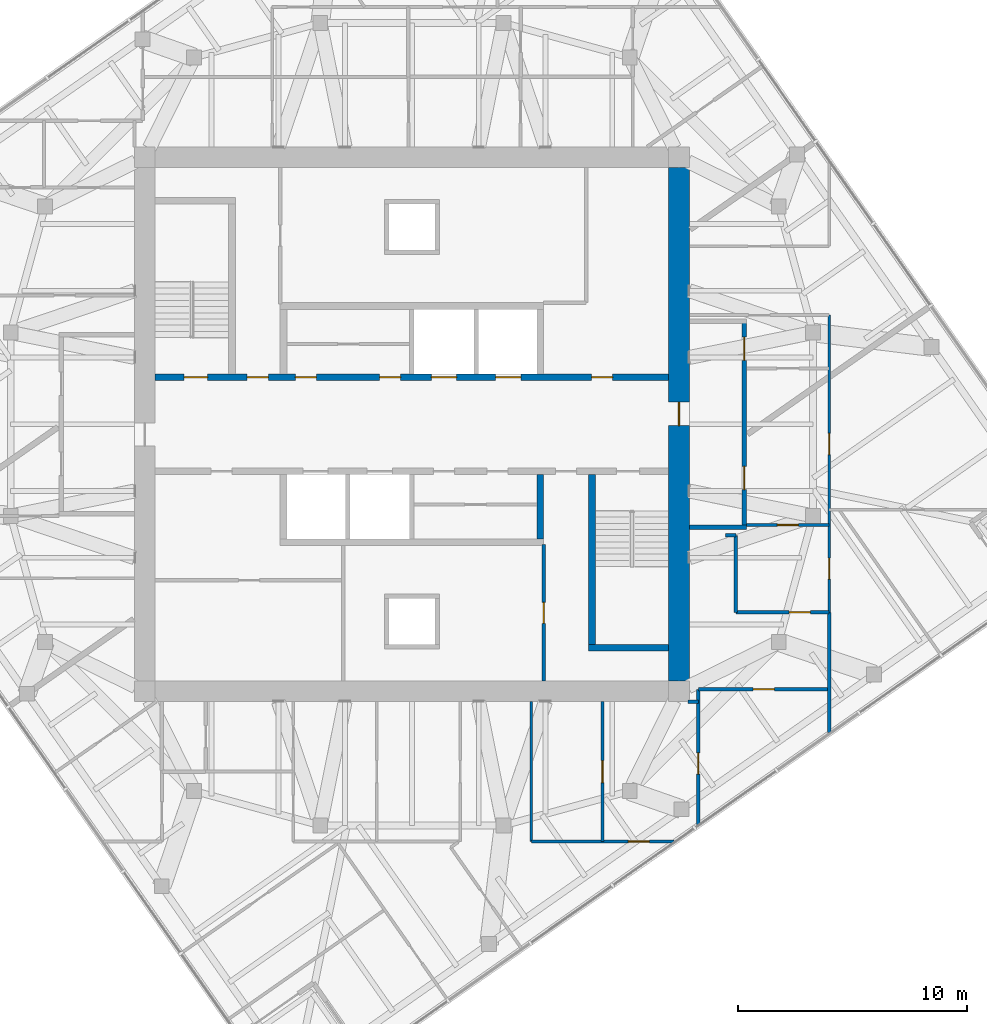
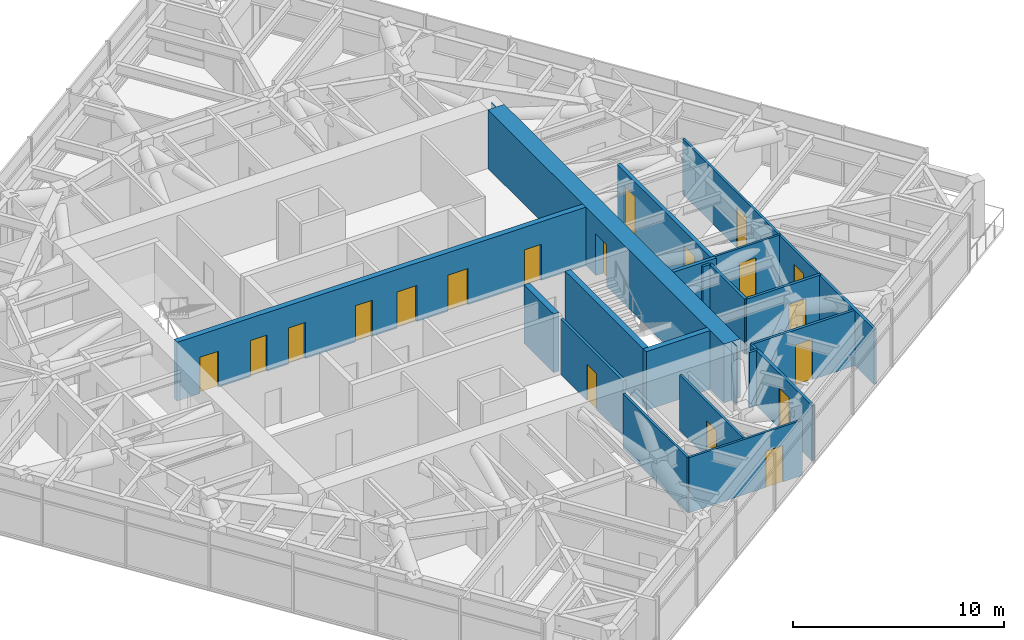
# One storey, part 11 of 15: 20 walls, 19 doors, 19 openings.
"""IFC4 building model written with IfcOpenShell, lengths in metres."""

from ifc_helpers import new_model, si_unit, direction, frame, frame_2d, origin, place, context, subcontext, project, spatial, polyline, rectangle, outline, extrude, material, layer, layer_set, type_object, element, fill, save


model = new_model("IFC4")

# Units and contexts
model_context = context("Model", 3, precision=1e-05, world=origin(), true_north=direction((0.0, 1.0)))
body_context = subcontext(model_context, "Body", "Model", "MODEL_VIEW")
ifc_project = project(units=[si_unit("LENGTHUNIT", "METRE"), si_unit("AREAUNIT", "SQUARE_METRE"), si_unit("VOLUMEUNIT", "CUBIC_METRE"), si_unit("PLANEANGLEUNIT", "RADIAN"), si_unit("MASSUNIT", "GRAM", prefix="KILO")], contexts=[model_context])

# Site, building, storey
site_placement = place(None, origin())
site = spatial("IfcSite", under=ifc_project, at=site_placement, CompositionType="ELEMENT")
building_placement = place(site_placement, origin())
building = spatial("IfcBuilding", under=site, at=building_placement, Name="Torsade Residences", CompositionType="ELEMENT")
storey_placement = place(building_placement, frame((0.0, 0.0, 264.199951171875)))
storey = spatial("IfcBuildingStorey", under=building, at=storey_placement, Name="L73", CompositionType="ELEMENT", Elevation=264.199951171875)

# Wall, openings, doors
ifc_material_1 = material(Name="Concrete 80 MPa", Category="concrete")
ifc_layer_1 = layer(ifc_material_1, 0.300048828125)
ifc_layer_set_1 = layer_set([ifc_layer_1], Name="Concrete 80 MPa")
wall_type_1 = type_object("IfcWallType", Name="CORE INTERNAL WALL 300", PredefinedType="SHEAR", material=ifc_layer_set_1)
wall_1_placement = place(storey_placement, frame((28.800048828125, 32.050048828125, 0.0), z_axis=(0.0, 0.0, 1.0), x_axis=(1.0, 0.0, 0.0)))
wall_1 = element("IfcWall", 1, at=wall_1_placement, inside=storey, type_object=wall_type_1, Name="Core wall LN L73", PredefinedType="SHEAR", context=body_context, shape_type="SweptSolid", body=[
    extrude(rectangle(XDim=22.39990234375, YDim=0.300048828125, at=frame_2d((11.199951171875, 0.0))), origin(), (0.0, 0.0, 1.0), 3.400146484375),
])
opening_1_placement = place(wall_1_placement, frame((19.0400390625, 0.0, 0.0)))
opening_1 = element("IfcOpeningElement", 2, at=opening_1_placement, cuts=wall_1, Name="Opening D06", PredefinedType="OPENING", context=body_context, shape_type="SweptSolid", body=[
    extrude(rectangle(XDim=0.919921875, YDim=2.10009765625, at=frame_2d((0.4599609375, 1.050048828125))), frame((0.0, 0.159912109375, 0.0), z_axis=(0.0, -1.0, 0.0), x_axis=(1.0, 0.0, 0.0)), (0.0, 0.0, 1.0), 0.320068359375),
])
opening_2_placement = place(wall_1_placement, frame((1.264892578125, 0.0, 0.0)))
opening_2 = element("IfcOpeningElement", 3, at=opening_2_placement, cuts=wall_1, Name="Opening D03", PredefinedType="OPENING", context=body_context, shape_type="SweptSolid", body=[
    extrude(rectangle(XDim=1.02001953125, YDim=2.10009765625, at=frame_2d((0.510009765625, 1.050048828125))), frame((0.0, 0.159912109375, 0.0), z_axis=(0.0, -1.0, 0.0), x_axis=(1.0, 0.0, 0.0)), (0.0, 0.0, 1.0), 0.320068359375),
])
opening_3_placement = place(wall_1_placement, frame((4.014892578125, 0.0, 0.0)))
opening_3 = element("IfcOpeningElement", 4, at=opening_3_placement, cuts=wall_1, Name="Opening D06", PredefinedType="OPENING", context=body_context, shape_type="SweptSolid", body=[
    extrude(rectangle(XDim=0.919921875, YDim=2.10009765625, at=frame_2d((0.4599609375, 1.050048828125))), frame((0.0, 0.159912109375, 0.0), z_axis=(0.0, -1.0, 0.0), x_axis=(1.0, 0.0, 0.0)), (0.0, 0.0, 1.0), 0.320068359375),
])
opening_4_placement = place(wall_1_placement, frame((6.114990234375, 0.0, 0.0)))
opening_4 = element("IfcOpeningElement", 5, at=opening_4_placement, cuts=wall_1, Name="Opening D06", PredefinedType="OPENING", context=body_context, shape_type="SweptSolid", body=[
    extrude(rectangle(XDim=0.919921875, YDim=2.10009765625, at=frame_2d((0.4599609375, 1.050048828125))), frame((0.0, 0.159912109375, 0.0), z_axis=(0.0, -1.0, 0.0), x_axis=(1.0, 0.0, 0.0)), (0.0, 0.0, 1.0), 0.320068359375),
])
opening_5_placement = place(wall_1_placement, frame((9.7900390625, 0.0, 0.0)))
opening_5 = element("IfcOpeningElement", 6, at=opening_5_placement, cuts=wall_1, Name="Opening D06", PredefinedType="OPENING", context=body_context, shape_type="SweptSolid", body=[
    extrude(rectangle(XDim=0.919921875, YDim=2.10009765625, at=frame_2d((0.4599609375, 1.050048828125))), frame((0.0, 0.159912109375, 0.0), z_axis=(0.0, -1.0, 0.0), x_axis=(1.0, 0.0, 0.0)), (0.0, 0.0, 1.0), 0.320068359375),
])
opening_6_placement = place(wall_1_placement, frame((12.050048828125, 0.0, 0.0)))
opening_6 = element("IfcOpeningElement", 7, at=opening_6_placement, cuts=wall_1, Name="Opening LD", PredefinedType="OPENING", context=body_context, shape_type="SweptSolid", body=[
    extrude(rectangle(XDim=1.10009765625, YDim=2.10009765625, at=frame_2d((0.550048828125, 1.050048828125))), frame((0.0, 0.159912109375, 0.0), z_axis=(0.0, -1.0, 0.0), x_axis=(1.0, 0.0, 0.0)), (0.0, 0.0, 1.0), 0.320068359375),
])
opening_7_placement = place(wall_1_placement, frame((14.85009765625, 0.0, 0.0)))
opening_7 = element("IfcOpeningElement", 8, at=opening_7_placement, cuts=wall_1, Name="Opening LD", PredefinedType="OPENING", context=body_context, shape_type="SweptSolid", body=[
    extrude(rectangle(XDim=1.10009765625, YDim=2.10009765625, at=frame_2d((0.550048828125, 1.050048828125))), frame((0.0, 0.159912109375, 0.0), z_axis=(0.0, -1.0, 0.0), x_axis=(1.0, 0.0, 0.0)), (0.0, 0.0, 1.0), 0.320068359375),
])
ifc_material_2 = material(Name="Steel-framed fire door", Category="steel")
door_type_1 = type_object("IfcDoorType", Name="FIRE DOOR 1020", OperationType="NOTDEFINED", PredefinedType="DOOR", material=ifc_material_2)
door_1_placement = place(opening_2_placement, origin())
door_1 = element("IfcDoor", 9, at=door_1_placement, inside=storey, type_object=door_type_1, Name="Exit door to fire-isolated stair ST1 L73", OperationType="SINGLE_SWING_RIGHT", OverallHeight=2.10009765625, OverallWidth=1.02001953125, PredefinedType="DOOR", context=body_context, shape_type="SweptSolid", body=[
    extrude(rectangle(XDim=1.02001953125, YDim=2.10009765625, at=frame_2d((0.510009765625, 1.050048828125))), frame((0.0, 0.02490234375, 0.0), z_axis=(0.0, -1.0, 0.0), x_axis=(1.0, 0.0, 0.0)), (0.0, 0.0, 1.0), 0.050048828125),
])
fill(opening_2, door_1)
ifc_material_3 = material(Name="Steel-framed fire door", Category="steel")
door_type_2 = type_object("IfcDoorType", Name="FIRE DOOR 920", OperationType="NOTDEFINED", PredefinedType="DOOR", material=ifc_material_3)
door_2_placement = place(opening_1_placement, origin())
door_2 = element("IfcDoor", 10, at=door_2_placement, inside=storey, type_object=door_type_2, Name="Door Lift lobby to Refuse room", OperationType="SINGLE_SWING_LEFT", OverallHeight=2.10009765625, OverallWidth=0.919921875, PredefinedType="DOOR", context=body_context, shape_type="SweptSolid", body=[
    extrude(rectangle(XDim=0.919921875, YDim=2.10009765625, at=frame_2d((0.4599609375, 1.050048828125))), frame((0.0, 0.02490234375, 0.0), z_axis=(0.0, -1.0, 0.0), x_axis=(1.0, 0.0, 0.0)), (0.0, 0.0, 1.0), 0.050048828125),
])
fill(opening_1, door_2)
door_3_placement = place(opening_3_placement, origin())
door_3 = element("IfcDoor", 11, at=door_3_placement, inside=storey, type_object=door_type_2, Name="Door Lift lobby to Meter store", OperationType="SINGLE_SWING_LEFT", OverallHeight=2.10009765625, OverallWidth=0.919921875, PredefinedType="DOOR", context=body_context, shape_type="SweptSolid", body=[
    extrude(rectangle(XDim=0.919921875, YDim=2.10009765625, at=frame_2d((0.4599609375, 1.050048828125))), frame((0.0, 0.02490234375, 0.0), z_axis=(0.0, -1.0, 0.0), x_axis=(1.0, 0.0, 0.0)), (0.0, 0.0, 1.0), 0.050048828125),
])
fill(opening_3, door_3)
door_4_placement = place(opening_4_placement, origin())
door_4 = element("IfcDoor", 12, at=door_4_placement, inside=storey, type_object=door_type_2, Name="Door Lift lobby to Parcel room L73A", OperationType="SINGLE_SWING_LEFT", OverallHeight=2.10009765625, OverallWidth=0.919921875, PredefinedType="DOOR", context=body_context, shape_type="SweptSolid", body=[
    extrude(rectangle(XDim=0.919921875, YDim=2.10009765625, at=frame_2d((0.4599609375, 1.050048828125))), frame((0.0, 0.02490234375, 0.0), z_axis=(0.0, -1.0, 0.0), x_axis=(1.0, 0.0, 0.0)), (0.0, 0.0, 1.0), 0.050048828125),
])
fill(opening_4, door_4)
door_5_placement = place(opening_5_placement, origin())
door_5 = element("IfcDoor", 13, at=door_5_placement, inside=storey, type_object=door_type_2, Name="Door Lift lobby to Parcel room L73A", OperationType="SINGLE_SWING_RIGHT", OverallHeight=2.10009765625, OverallWidth=0.919921875, PredefinedType="DOOR", context=body_context, shape_type="SweptSolid", body=[
    extrude(rectangle(XDim=0.919921875, YDim=2.10009765625, at=frame_2d((0.4599609375, 1.050048828125))), frame((0.0, 0.02490234375, 0.0), z_axis=(0.0, -1.0, 0.0), x_axis=(1.0, 0.0, 0.0)), (0.0, 0.0, 1.0), 0.050048828125),
])
fill(opening_5, door_5)
ifc_material_4 = material(Name="Stainless steel lift landing door", Category="steel")
door_type_3 = type_object("IfcDoorType", Name="LIFT LANDING DOOR 1100", OperationType="SLIDING_TO_LEFT", PredefinedType="DOOR", material=ifc_material_4)
door_6_placement = place(opening_6_placement, origin())
door_6 = element("IfcDoor", 14, at=door_6_placement, inside=storey, type_object=door_type_3, Name="Lift LA3 landing door L73", OperationType="SLIDING_TO_LEFT", OverallHeight=2.10009765625, OverallWidth=1.10009765625, PredefinedType="DOOR", context=body_context, shape_type="SweptSolid", body=[
    extrude(rectangle(XDim=1.10009765625, YDim=2.10009765625, at=frame_2d((0.550048828125, 1.050048828125))), frame((0.0, 0.02490234375, 0.0), z_axis=(0.0, -1.0, 0.0), x_axis=(1.0, 0.0, 0.0)), (0.0, 0.0, 1.0), 0.050048828125),
])
fill(opening_6, door_6)
door_7_placement = place(opening_7_placement, origin())
door_7 = element("IfcDoor", 15, at=door_7_placement, inside=storey, type_object=door_type_3, Name="Lift FL1 landing door L73", OperationType="SLIDING_TO_LEFT", OverallHeight=2.10009765625, OverallWidth=1.10009765625, PredefinedType="DOOR", context=body_context, shape_type="SweptSolid", body=[
    extrude(rectangle(XDim=1.10009765625, YDim=2.10009765625, at=frame_2d((0.550048828125, 1.050048828125))), frame((0.0, 0.02490234375, 0.0), z_axis=(0.0, -1.0, 0.0), x_axis=(1.0, 0.0, 0.0)), (0.0, 0.0, 1.0), 0.050048828125),
])
fill(opening_7, door_7)

# Walls
wall_2_placement = place(storey_placement, frame((45.60009765625, 27.800048828125, 0.0), z_axis=(0.0, 0.0, 1.0), x_axis=(0.0, -1.0, 0.0)))
element("IfcWall", 16, at=wall_2_placement, inside=storey, type_object=wall_type_1, Name="Core wall DS0 L73", PredefinedType="SHEAR", context=body_context, shape_type="SweptSolid", body=[
    extrude(rectangle(XDim=2.800048828125, YDim=0.300048828125, at=frame_2d((1.39990234375, 0.0))), origin(), (0.0, 0.0, 1.0), 3.400146484375),
])
wall_3_placement = place(storey_placement, frame((47.85009765625, 27.800048828125, 0.0), z_axis=(0.0, 0.0, 1.0), x_axis=(0.0, -1.0, 0.0)))
element("IfcWall", 17, at=wall_3_placement, inside=storey, type_object=wall_type_1, Name="Core wall ST2W L73", PredefinedType="SHEAR", context=body_context, shape_type="SweptSolid", body=[
    extrude(rectangle(XDim=7.699951171875, YDim=0.300048828125, at=frame_2d((3.85009765625, 0.0))), origin(), (0.0, 0.0, 1.0), 3.400146484375),
])
wall_4_placement = place(storey_placement, frame((51.199951171875, 20.25, 0.0), z_axis=(0.0, 0.0, 1.0), x_axis=(-1.0, 0.0, 0.0)))
element("IfcWall", 18, at=wall_4_placement, inside=storey, type_object=wall_type_1, Name="Core wall ST2S L73", PredefinedType="SHEAR", context=body_context, shape_type="SweptSolid", body=[
    extrude(rectangle(XDim=3.5, YDim=0.300048828125, at=frame_2d((1.75, 0.0))), origin(), (0.0, 0.0, 1.0), 3.400146484375),
])

# Wall, opening, door
ifc_material_5 = material(Name="Concrete 80 MPa", Category="concrete")
ifc_layer_2 = layer(ifc_material_5, 0.89990234375)
ifc_layer_set_2 = layer_set([ifc_layer_2], Name="Concrete 80 MPa")
wall_type_2 = type_object("IfcWallType", Name="CORE WALL 900", PredefinedType="SHEAR", material=ifc_layer_set_2)
wall_5_placement = place(storey_placement, frame((51.64990234375, 18.800048828125, 0.0), z_axis=(0.0, 0.0, 1.0), x_axis=(0.0, 1.0, 0.0)))
wall_5 = element("IfcWall", 19, at=wall_5_placement, inside=storey, type_object=wall_type_2, Name="Core wall E L73", PredefinedType="SHEAR", context=body_context, shape_type="SweptSolid", body=[
    extrude(outline(polyline([(0.0, -0.449951171875), (22.39990234375, -0.449951171875), (22.39990234375, -0.02490234375), (22.849853515625, -0.02490234375), (22.849853515625, 0.02490234375), (22.39990234375, 0.02490234375), (22.39990234375, 0.449951171875), (0.0, 0.449951171875), (0.0, 0.02490234375), (-0.449951171875, 0.02490234375), (-0.449951171875, -0.02490234375), (0.0, -0.02490234375), (0.0, -0.449951171875)])), origin(), (0.0, 0.0, 1.0), 3.400146484375),
])
opening_8_placement = place(wall_5_placement, frame((11.139892578125, 0.0, 0.0)))
opening_8 = element("IfcOpeningElement", 20, at=opening_8_placement, cuts=wall_5, Name="Opening D04", PredefinedType="OPENING", context=body_context, shape_type="SweptSolid", body=[
    extrude(rectangle(XDim=1.02001953125, YDim=2.39990234375, at=frame_2d((0.510009765625, 1.199951171875))), frame((0.0, 0.4599609375, 0.0), z_axis=(0.0, -1.0, 0.0), x_axis=(1.0, 0.0, 0.0)), (0.0, 0.0, 1.0), 0.919921875),
])
ifc_material_6 = material(Name="Steel-framed fire door", Category="steel")
door_type_4 = type_object("IfcDoorType", Name="LOBBY SMOKE DOOR 1020x2400", OperationType="NOTDEFINED", PredefinedType="DOOR", material=ifc_material_6)
door_8_placement = place(opening_8_placement, origin())
door_8 = element("IfcDoor", 21, at=door_8_placement, inside=storey, type_object=door_type_4, Name="Lift lobby door E L73", OperationType="SINGLE_SWING_LEFT", OverallHeight=2.39990234375, OverallWidth=1.02001953125, PredefinedType="DOOR", context=body_context, shape_type="SweptSolid", body=[
    extrude(rectangle(XDim=1.02001953125, YDim=2.39990234375, at=frame_2d((0.510009765625, 1.199951171875))), frame((0.0, 0.02490234375, 0.0), z_axis=(0.0, -1.0, 0.0), x_axis=(1.0, 0.0, 0.0)), (0.0, 0.0, 1.0), 0.050048828125),
])
fill(opening_8, door_8)

# Wall, openings, doors
ifc_material_7 = material(Name="Plasterboard on steel stud", Category="steel")
ifc_layer_3 = layer(ifc_material_7, 0.199951171875)
ifc_layer_set_3 = layer_set([ifc_layer_3], Name="Plasterboard on steel stud")
wall_type_3 = type_object("IfcWallType", Name="CORRIDOR WALL 200", PredefinedType="PARTITIONING", material=ifc_layer_set_3)
wall_6_placement = place(storey_placement, frame((54.5, 25.5, 0.0), z_axis=(0.0, 0.0, 1.0), x_axis=(0.0, 1.0, 0.0)))
wall_6 = element("IfcWall", 22, at=wall_6_placement, inside=storey, type_object=wall_type_3, Name="Corridor wall L73", PredefinedType="PARTITIONING", context=body_context, shape_type="SweptSolid", body=[
    extrude(rectangle(XDim=9.0, YDim=0.199951171875, at=frame_2d((4.5, 0.0))), origin(), (0.0, 0.0, 1.0), 3.199951171875),
])
opening_9_placement = place(wall_6_placement, frame((1.643310546875, 0.0, 0.0)))
opening_9 = element("IfcOpeningElement", 23, at=opening_9_placement, cuts=wall_6, Name="Opening D01", PredefinedType="OPENING", context=body_context, shape_type="SweptSolid", body=[
    extrude(rectangle(XDim=1.02001953125, YDim=2.340087890625, at=frame_2d((0.510009765625, 1.169921875))), frame((0.0, 0.10986328125, 0.0), z_axis=(0.0, -1.0, 0.0), x_axis=(1.0, 0.0, 0.0)), (0.0, 0.0, 1.0), 0.219970703125),
])
opening_10_placement = place(wall_6_placement, frame((7.2822265625, 0.0, 0.0)))
opening_10 = element("IfcOpeningElement", 24, at=opening_10_placement, cuts=wall_6, Name="Opening D01", PredefinedType="OPENING", context=body_context, shape_type="SweptSolid", body=[
    extrude(rectangle(XDim=1.02001953125, YDim=2.340087890625, at=frame_2d((0.510009765625, 1.169921875))), frame((0.0, 0.10986328125, 0.0), z_axis=(0.0, -1.0, 0.0), x_axis=(1.0, 0.0, 0.0)), (0.0, 0.0, 1.0), 0.219970703125),
])
ifc_material_8 = material(Name="Solid-core timber fire door", Category="wood")
door_type_5 = type_object("IfcDoorType", Name="APARTMENT ENTRY DOOR 1020x2340", OperationType="NOTDEFINED", PredefinedType="DOOR", material=ifc_material_8)
door_9_placement = place(opening_9_placement, origin())
door_9 = element("IfcDoor", 25, at=door_9_placement, inside=storey, type_object=door_type_5, Name="Door Residential corridor to Kitchen and dining", OperationType="SINGLE_SWING_LEFT", OverallHeight=2.340087890625, OverallWidth=1.02001953125, PredefinedType="DOOR", context=body_context, shape_type="SweptSolid", body=[
    extrude(rectangle(XDim=1.02001953125, YDim=2.340087890625, at=frame_2d((0.510009765625, 1.169921875))), frame((0.0, 0.02490234375, 0.0), z_axis=(0.0, -1.0, 0.0), x_axis=(1.0, 0.0, 0.0)), (0.0, 0.0, 1.0), 0.050048828125),
])
fill(opening_9, door_9)
door_10_placement = place(opening_10_placement, origin())
door_10 = element("IfcDoor", 26, at=door_10_placement, inside=storey, type_object=door_type_5, Name="Door Residential corridor to Kitchen and dining", OperationType="SINGLE_SWING_RIGHT", OverallHeight=2.340087890625, OverallWidth=1.02001953125, PredefinedType="DOOR", context=body_context, shape_type="SweptSolid", body=[
    extrude(rectangle(XDim=1.02001953125, YDim=2.340087890625, at=frame_2d((0.510009765625, 1.169921875))), frame((0.0, 0.02490234375, 0.0), z_axis=(0.0, -1.0, 0.0), x_axis=(1.0, 0.0, 0.0)), (0.0, 0.0, 1.0), 0.050048828125),
])
fill(opening_10, door_10)

# Wall
wall_7_placement = place(storey_placement, frame((52.10009765625, 25.5, 0.0), z_axis=(0.0, 0.0, 1.0), x_axis=(1.0, 0.0, 0.0)))
element("IfcWall", 27, at=wall_7_placement, inside=storey, type_object=wall_type_3, Name="Corridor wall L73", PredefinedType="PARTITIONING", context=body_context, shape_type="SweptSolid", body=[
    extrude(rectangle(XDim=2.5, YDim=0.199951171875, at=frame_2d((1.25, 0.0))), origin(), (0.0, 0.0, 1.0), 3.199951171875),
])

# Wall, opening, door
ifc_material_9 = material(Name="Plasterboard on steel stud", Category="steel")
ifc_layer_4 = layer(ifc_material_9, 0.1201171875)
ifc_layer_set_4 = layer_set([ifc_layer_4], Name="Plasterboard on steel stud")
wall_type_4 = type_object("IfcWallType", Name="PARTITION 120", PredefinedType="PARTITIONING", material=ifc_layer_set_4)
wall_8_placement = place(storey_placement, frame((58.199951171875, 25.602783203125, 0.0), z_axis=(0.0, 0.0, 1.0), x_axis=(-1.0, 0.0, 0.0)))
wall_8 = element("IfcWall", 28, at=wall_8_placement, inside=storey, type_object=wall_type_4, Name="Partition L73", PredefinedType="PARTITIONING", context=body_context, shape_type="SweptSolid", body=[
    extrude(rectangle(XDim=3.599853515625, YDim=0.1201171875, at=frame_2d((1.7998046875, 0.0))), origin(), (0.0, 0.0, 1.0), 3.199951171875),
])
opening_11_placement = place(wall_8_placement, frame((1.340087890625, 0.0, 0.0)))
opening_11 = element("IfcOpeningElement", 29, at=opening_11_placement, cuts=wall_8, Name="Opening D02", PredefinedType="OPENING", context=body_context, shape_type="SweptSolid", body=[
    extrude(rectangle(XDim=0.919921875, YDim=2.340087890625, at=frame_2d((0.4599609375, 1.169921875))), frame((0.0, 0.070068359375, 0.0), z_axis=(0.0, -1.0, 0.0), x_axis=(1.0, 0.0, 0.0)), (0.0, 0.0, 1.0), 0.14013671875),
])
ifc_material_10 = material(Name="Hollow-core timber door", Category="wood")
door_type_6 = type_object("IfcDoorType", Name="INTERNAL DOOR 920x2340", OperationType="NOTDEFINED", PredefinedType="DOOR", material=ifc_material_10)
door_11_placement = place(opening_11_placement, origin())
door_11 = element("IfcDoor", 30, at=door_11_placement, inside=storey, type_object=door_type_6, Name="Door Kitchen and dining to Walk-in robe", OperationType="SINGLE_SWING_LEFT", OverallHeight=2.340087890625, OverallWidth=0.919921875, PredefinedType="DOOR", context=body_context, shape_type="SweptSolid", body=[
    extrude(rectangle(XDim=0.919921875, YDim=2.340087890625, at=frame_2d((0.4599609375, 1.169921875))), frame((0.0, 0.02490234375, 0.0), z_axis=(0.0, -1.0, 0.0), x_axis=(1.0, 0.0, 0.0)), (0.0, 0.0, 1.0), 0.050048828125),
])
fill(opening_11, door_11)

# Wall, openings, doors
wall_9_placement = place(storey_placement, frame((58.199951171875, 34.760009765625, 0.0), z_axis=(0.0, 0.0, 1.0), x_axis=(0.0, -1.0, 0.0)))
wall_9 = element("IfcWall", 31, at=wall_9_placement, inside=storey, type_object=wall_type_4, Name="Partition L73", PredefinedType="PARTITIONING", context=body_context, shape_type="SweptSolid", body=[
    extrude(rectangle(XDim=12.9638671875, YDim=0.1201171875, at=frame_2d((6.48193359375, 0.0))), origin(), (0.0, 0.0, 1.0), 3.199951171875),
])
opening_12_placement = place(wall_9_placement, frame((5.16162109375, 0.0, 0.0)))
opening_12 = element("IfcOpeningElement", 32, at=opening_12_placement, cuts=wall_9, Name="Opening D02", PredefinedType="OPENING", context=body_context, shape_type="SweptSolid", body=[
    extrude(rectangle(XDim=0.919921875, YDim=2.340087890625, at=frame_2d((0.4599609375, 1.169921875))), frame((0.0, 0.070068359375, 0.0), z_axis=(0.0, -1.0, 0.0), x_axis=(1.0, 0.0, 0.0)), (0.0, 0.0, 1.0), 0.14013671875),
])
opening_13_placement = place(wall_9_placement, frame((10.600341796875, 0.0, 0.0)))
opening_13 = element("IfcOpeningElement", 33, at=opening_13_placement, cuts=wall_9, Name="Opening D02", PredefinedType="OPENING", context=body_context, shape_type="SweptSolid", body=[
    extrude(rectangle(XDim=0.919921875, YDim=2.340087890625, at=frame_2d((0.4599609375, 1.169921875))), frame((0.0, 0.070068359375, 0.0), z_axis=(0.0, -1.0, 0.0), x_axis=(1.0, 0.0, 0.0)), (0.0, 0.0, 1.0), 0.14013671875),
])
door_12_placement = place(opening_12_placement, origin())
door_12 = element("IfcDoor", 34, at=door_12_placement, inside=storey, type_object=door_type_6, Name="Door Kitchen and dining to Living room", OperationType="SINGLE_SWING_RIGHT", OverallHeight=2.340087890625, OverallWidth=0.919921875, PredefinedType="DOOR", context=body_context, shape_type="SweptSolid", body=[
    extrude(rectangle(XDim=0.919921875, YDim=2.340087890625, at=frame_2d((0.4599609375, 1.169921875))), frame((0.0, 0.02490234375, 0.0), z_axis=(0.0, -1.0, 0.0), x_axis=(1.0, 0.0, 0.0)), (0.0, 0.0, 1.0), 0.050048828125),
])
fill(opening_12, door_12)
door_13_placement = place(opening_13_placement, origin())
door_13 = element("IfcDoor", 35, at=door_13_placement, inside=storey, type_object=door_type_6, Name="Door Walk-in robe to Bedroom 4", OperationType="SINGLE_SWING_LEFT", OverallHeight=2.340087890625, OverallWidth=0.919921875, PredefinedType="DOOR", context=body_context, shape_type="SweptSolid", body=[
    extrude(rectangle(XDim=0.919921875, YDim=2.340087890625, at=frame_2d((0.4599609375, 1.169921875))), frame((0.0, 0.02490234375, 0.0), z_axis=(0.0, -1.0, 0.0), x_axis=(1.0, 0.0, 0.0)), (0.0, 0.0, 1.0), 0.050048828125),
])
fill(opening_13, door_13)

# Wall, opening, door
wall_10_placement = place(storey_placement, frame((48.311279296875, 17.89990234375, 0.0), z_axis=(0.0, 0.0, 1.0), x_axis=(0.0, -1.0, 0.0)))
wall_10 = element("IfcWall", 36, at=wall_10_placement, inside=storey, type_object=wall_type_4, Name="Partition L73", PredefinedType="PARTITIONING", context=body_context, shape_type="SweptSolid", body=[
    extrude(rectangle(XDim=6.099853515625, YDim=0.1201171875, at=frame_2d((3.0498046875, 0.0))), origin(), (0.0, 0.0, 1.0), 3.199951171875),
])
opening_14_placement = place(wall_10_placement, frame((2.570068359375, 0.0, 0.0)))
opening_14 = element("IfcOpeningElement", 37, at=opening_14_placement, cuts=wall_10, Name="Opening D05", PredefinedType="OPENING", context=body_context, shape_type="SweptSolid", body=[
    extrude(rectangle(XDim=0.9599609375, YDim=2.10009765625, at=frame_2d((0.47998046875, 1.050048828125))), frame((0.0, 0.070068359375, 0.0), z_axis=(0.0, -1.0, 0.0), x_axis=(1.0, 0.0, 0.0)), (0.0, 0.0, 1.0), 0.14013671875),
])
ifc_material_11 = material(Name="Hollow-core timber door in a steel cavity frame", Category="steel")
door_type_7 = type_object("IfcDoorType", Name="BATHROOM CAVITY SLIDING DOOR 960", OperationType="SLIDING_TO_LEFT", PredefinedType="DOOR", material=ifc_material_11)
door_14_placement = place(opening_14_placement, origin())
door_14 = element("IfcDoor", 38, at=door_14_placement, inside=storey, type_object=door_type_7, Name="Door Study to Laundry", OperationType="SLIDING_TO_LEFT", OverallHeight=2.10009765625, OverallWidth=0.9599609375, PredefinedType="DOOR", context=body_context, shape_type="SweptSolid", body=[
    extrude(rectangle(XDim=0.9599609375, YDim=2.10009765625, at=frame_2d((0.47998046875, 1.050048828125))), frame((0.0, 0.02490234375, 0.0), z_axis=(0.0, -1.0, 0.0), x_axis=(1.0, 0.0, 0.0)), (0.0, 0.0, 1.0), 0.050048828125),
])
fill(opening_14, door_14)

wall_11_placement = place(storey_placement, frame((51.422119140625, 11.800048828125, 0.0), z_axis=(0.0, 0.0, 1.0), x_axis=(-1.0, 0.0, 0.0)))
wall_11 = element("IfcWall", 39, at=wall_11_placement, inside=storey, type_object=wall_type_4, Name="Partition L73", PredefinedType="PARTITIONING", context=body_context, shape_type="SweptSolid", body=[
    extrude(rectangle(XDim=6.212646484375, YDim=0.1201171875, at=frame_2d((3.1064453125, 0.0))), origin(), (0.0, 0.0, 1.0), 3.199951171875),
])
opening_15_placement = place(wall_11_placement, frame((1.060546875, 0.0, 0.0)))
opening_15 = element("IfcOpeningElement", 40, at=opening_15_placement, cuts=wall_11, Name="Opening D02L", PredefinedType="OPENING", context=body_context, shape_type="SweptSolid", body=[
    extrude(rectangle(XDim=0.919921875, YDim=2.10009765625, at=frame_2d((0.4599609375, 1.050048828125))), frame((0.0, 0.070068359375, 0.0), z_axis=(0.0, -1.0, 0.0), x_axis=(1.0, 0.0, 0.0)), (0.0, 0.0, 1.0), 0.14013671875),
])
ifc_material_12 = material(Name="Hollow-core timber door", Category="wood")
door_type_8 = type_object("IfcDoorType", Name="INTERNAL DOOR 920x2100", OperationType="NOTDEFINED", PredefinedType="DOOR", material=ifc_material_12)
door_15_placement = place(opening_15_placement, origin())
door_15 = element("IfcDoor", 41, at=door_15_placement, inside=storey, type_object=door_type_8, Name="Door Study to Media room", OperationType="SINGLE_SWING_RIGHT", OverallHeight=2.10009765625, OverallWidth=0.919921875, PredefinedType="DOOR", context=body_context, shape_type="SweptSolid", body=[
    extrude(rectangle(XDim=0.919921875, YDim=2.10009765625, at=frame_2d((0.4599609375, 1.050048828125))), frame((0.0, 0.02490234375, 0.0), z_axis=(0.0, -1.0, 0.0), x_axis=(1.0, 0.0, 0.0)), (0.0, 0.0, 1.0), 0.050048828125),
])
fill(opening_15, door_15)

# Wall
wall_12_placement = place(storey_placement, frame((45.20947265625, 11.800048828125, 0.0), z_axis=(0.0, 0.0, 1.0), x_axis=(0.0, 1.0, 0.0)))
element("IfcWall", 42, at=wall_12_placement, inside=storey, type_object=wall_type_4, Name="Partition L73", PredefinedType="PARTITIONING", context=body_context, shape_type="SweptSolid", body=[
    extrude(rectangle(XDim=6.099853515625, YDim=0.1201171875, at=frame_2d((3.0498046875, 0.0))), origin(), (0.0, 0.0, 1.0), 3.199951171875),
])

# Wall, opening, door
ifc_material_13 = material(Name="Reinforced blockwork", Category="masonry")
ifc_layer_5 = layer(ifc_material_13, 0.14990234375)
ifc_layer_set_5 = layer_set([ifc_layer_5], Name="Reinforced blockwork")
wall_type_5 = type_object("IfcWallType", Name="SERVICE ROOM WALL 150", PredefinedType="SOLIDWALL", material=ifc_layer_set_5)
wall_13_placement = place(storey_placement, frame((45.75, 18.800048828125, 0.0), z_axis=(0.0, 0.0, 1.0), x_axis=(0.0, 1.0, 0.0)))
wall_13 = element("IfcWall", 43, at=wall_13_placement, inside=storey, type_object=wall_type_5, Name="Service room wall L73", PredefinedType="SOLIDWALL", context=body_context, shape_type="SweptSolid", body=[
    extrude(rectangle(XDim=5.949951171875, YDim=0.14990234375, at=frame_2d((2.97509765625, 0.0))), origin(), (0.0, 0.0, 1.0), 3.199951171875),
])
opening_16_placement = place(wall_13_placement, frame((2.514892578125, 0.0, 0.0)))
opening_16 = element("IfcOpeningElement", 44, at=opening_16_placement, cuts=wall_13, Name="Opening D06", PredefinedType="OPENING", context=body_context, shape_type="SweptSolid", body=[
    extrude(rectangle(XDim=0.919921875, YDim=2.10009765625, at=frame_2d((0.4599609375, 1.050048828125))), frame((0.0, 0.0849609375, 0.0), z_axis=(0.0, -1.0, 0.0), x_axis=(1.0, 0.0, 0.0)), (0.0, 0.0, 1.0), 0.169921875),
])
door_16_placement = place(opening_16_placement, origin())
door_16 = element("IfcDoor", 45, at=door_16_placement, inside=storey, type_object=door_type_2, Name="Door Communications equipment store to Communications riser room", OperationType="SINGLE_SWING_LEFT", OverallHeight=2.10009765625, OverallWidth=0.919921875, PredefinedType="DOOR", context=body_context, shape_type="SweptSolid", body=[
    extrude(rectangle(XDim=0.919921875, YDim=2.10009765625, at=frame_2d((0.4599609375, 1.050048828125))), frame((0.0, 0.02490234375, 0.0), z_axis=(0.0, -1.0, 0.0), x_axis=(1.0, 0.0, 0.0)), (0.0, 0.0, 1.0), 0.050048828125),
])
fill(opening_16, door_16)

wall_14_placement = place(storey_placement, frame((52.494140625, 18.439208984375, 0.0), z_axis=(0.0, 0.0, 1.0), x_axis=(0.0, -1.0, 0.0)))
wall_14 = element("IfcWall", 46, at=wall_14_placement, inside=storey, type_object=wall_type_5, Name="Service room wall L73", PredefinedType="SOLIDWALL", context=body_context, shape_type="SweptSolid", body=[
    extrude(rectangle(XDim=5.888427734375, YDim=0.14990234375, at=frame_2d((2.9443359375, 0.0))), origin(), (0.0, 0.0, 1.0), 3.199951171875),
])
opening_17_placement = place(wall_14_placement, frame((2.7783203125, 0.0, 0.0)))
opening_17 = element("IfcOpeningElement", 47, at=opening_17_placement, cuts=wall_14, Name="Opening D02", PredefinedType="OPENING", context=body_context, shape_type="SweptSolid", body=[
    extrude(rectangle(XDim=0.919921875, YDim=2.340087890625, at=frame_2d((0.4599609375, 1.169921875))), frame((0.0, 0.0849609375, 0.0), z_axis=(0.0, -1.0, 0.0), x_axis=(1.0, 0.0, 0.0)), (0.0, 0.0, 1.0), 0.169921875),
])
door_17_placement = place(opening_17_placement, origin())
door_17 = element("IfcDoor", 48, at=door_17_placement, inside=storey, type_object=door_type_6, Name="Door Linen store 3 to Study", OperationType="SINGLE_SWING_LEFT", OverallHeight=2.340087890625, OverallWidth=0.919921875, PredefinedType="DOOR", context=body_context, shape_type="SweptSolid", body=[
    extrude(rectangle(XDim=0.919921875, YDim=2.340087890625, at=frame_2d((0.4599609375, 1.169921875))), frame((0.0, 0.02490234375, 0.0), z_axis=(0.0, -1.0, 0.0), x_axis=(1.0, 0.0, 0.0)), (0.0, 0.0, 1.0), 0.050048828125),
])
fill(opening_17, door_17)

# Walls
wall_15_placement = place(storey_placement, frame((52.050048828125, 17.89990234375, 0.0), z_axis=(0.0, 0.0, 1.0), x_axis=(1.0, 0.0, 0.0)))
element("IfcWall", 49, at=wall_15_placement, inside=storey, type_object=wall_type_5, Name="Service room wall L73", PredefinedType="SOLIDWALL", context=body_context, shape_type="SweptSolid", body=[
    extrude(rectangle(XDim=0.444091796875, YDim=0.14990234375, at=frame_2d((0.22216796875, 0.0))), origin(), (0.0, 0.0, 1.0), 3.199951171875),
])
wall_16_placement = place(storey_placement, frame((58.199951171875, 21.796142578125, 0.0), z_axis=(0.0, 0.0, 1.0), x_axis=(0.0, -1.0, 0.0)))
element("IfcWall", 50, at=wall_16_placement, inside=storey, type_object=wall_type_5, Name="Service room wall L73", PredefinedType="SOLIDWALL", context=body_context, shape_type="SweptSolid", body=[
    extrude(rectangle(XDim=5.250244140625, YDim=0.14990234375, at=frame_2d((2.625, 0.0))), origin(), (0.0, 0.0, 1.0), 3.199951171875),
])

# Wall, opening, door
wall_17_placement = place(storey_placement, frame((52.494140625, 18.439208984375, 0.0), z_axis=(0.0, 0.0, 1.0), x_axis=(1.0, 0.0, 0.0)))
wall_17 = element("IfcWall", 51, at=wall_17_placement, inside=storey, type_object=wall_type_5, Name="Service room wall L73", PredefinedType="SOLIDWALL", context=body_context, shape_type="SweptSolid", body=[
    extrude(rectangle(XDim=5.705810546875, YDim=0.14990234375, at=frame_2d((2.85302734375, 0.0))), origin(), (0.0, 0.0, 1.0), 3.199951171875),
])
opening_18_placement = place(wall_17_placement, frame((2.392822265625, 0.0, 0.0)))
opening_18 = element("IfcOpeningElement", 52, at=opening_18_placement, cuts=wall_17, Name="Opening D02", PredefinedType="OPENING", context=body_context, shape_type="SweptSolid", body=[
    extrude(rectangle(XDim=0.919921875, YDim=2.340087890625, at=frame_2d((0.4599609375, 1.169921875))), frame((0.0, 0.0849609375, 0.0), z_axis=(0.0, -1.0, 0.0), x_axis=(1.0, 0.0, 0.0)), (0.0, 0.0, 1.0), 0.169921875),
])
door_18_placement = place(opening_18_placement, origin())
door_18 = element("IfcDoor", 53, at=door_18_placement, inside=storey, type_object=door_type_6, Name="Door Linen store 2 to Linen store 3", OperationType="SINGLE_SWING_RIGHT", OverallHeight=2.340087890625, OverallWidth=0.919921875, PredefinedType="DOOR", context=body_context, shape_type="SweptSolid", body=[
    extrude(rectangle(XDim=0.919921875, YDim=2.340087890625, at=frame_2d((0.4599609375, 1.169921875))), frame((0.0, 0.02490234375, 0.0), z_axis=(0.0, -1.0, 0.0), x_axis=(1.0, 0.0, 0.0)), (0.0, 0.0, 1.0), 0.050048828125),
])
fill(opening_18, door_18)

wall_18_placement = place(storey_placement, frame((58.199951171875, 21.796142578125, 0.0), z_axis=(0.0, 0.0, 1.0), x_axis=(-1.0, 0.0, 0.0)))
wall_18 = element("IfcWall", 54, at=wall_18_placement, inside=storey, type_object=wall_type_5, Name="Service room wall L73", PredefinedType="SOLIDWALL", context=body_context, shape_type="SweptSolid", body=[
    extrude(rectangle(XDim=4.066650390625, YDim=0.14990234375, at=frame_2d((2.033203125, 0.0))), origin(), (0.0, 0.0, 1.0), 3.199951171875),
])
opening_19_placement = place(wall_18_placement, frame((0.8232421875, 0.0, 0.0)))
opening_19 = element("IfcOpeningElement", 55, at=opening_19_placement, cuts=wall_18, Name="Opening D02L", PredefinedType="OPENING", context=body_context, shape_type="SweptSolid", body=[
    extrude(rectangle(XDim=0.919921875, YDim=2.10009765625, at=frame_2d((0.4599609375, 1.050048828125))), frame((0.0, 0.0849609375, 0.0), z_axis=(0.0, -1.0, 0.0), x_axis=(1.0, 0.0, 0.0)), (0.0, 0.0, 1.0), 0.169921875),
])
door_19_placement = place(opening_19_placement, origin())
door_19 = element("IfcDoor", 56, at=door_19_placement, inside=storey, type_object=door_type_8, Name="Door Walk-in robe to Linen store 2", OperationType="SINGLE_SWING_LEFT", OverallHeight=2.10009765625, OverallWidth=0.919921875, PredefinedType="DOOR", context=body_context, shape_type="SweptSolid", body=[
    extrude(rectangle(XDim=0.919921875, YDim=2.10009765625, at=frame_2d((0.4599609375, 1.050048828125))), frame((0.0, 0.02490234375, 0.0), z_axis=(0.0, -1.0, 0.0), x_axis=(1.0, 0.0, 0.0)), (0.0, 0.0, 1.0), 0.050048828125),
])
fill(opening_19, door_19)

# Walls
wall_19_placement = place(storey_placement, frame((54.13330078125, 21.796142578125, 0.0), z_axis=(0.0, 0.0, 1.0), x_axis=(0.0, 1.0, 0.0)))
element("IfcWall", 57, at=wall_19_placement, inside=storey, type_object=wall_type_5, Name="Service room wall L73", PredefinedType="SOLIDWALL", context=body_context, shape_type="SweptSolid", body=[
    extrude(rectangle(XDim=3.356689453125, YDim=0.14990234375, at=frame_2d((1.67822265625, 0.0))), origin(), (0.0, 0.0, 1.0), 3.199951171875),
])
wall_20_placement = place(storey_placement, frame((54.13330078125, 25.15283203125, 0.0), z_axis=(0.0, 0.0, 1.0), x_axis=(-1.0, 0.0, 0.0)))
element("IfcWall", 58, at=wall_20_placement, inside=storey, type_object=wall_type_5, Name="Service room wall L73", PredefinedType="SOLIDWALL", context=body_context, shape_type="SweptSolid", body=[
    extrude(rectangle(XDim=0.449951171875, YDim=0.14990234375, at=frame_2d((0.22509765625, 0.0))), origin(), (0.0, 0.0, 1.0), 3.199951171875),
])

save(model, "model.ifc")
